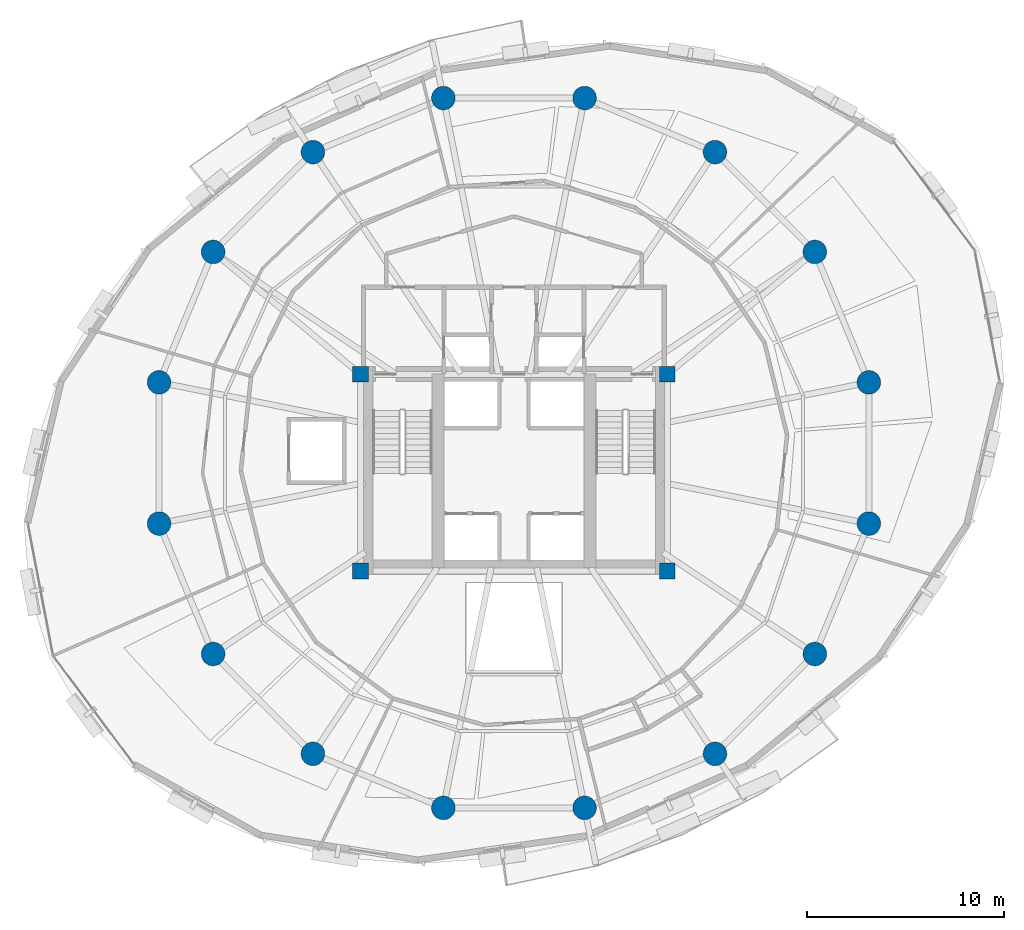
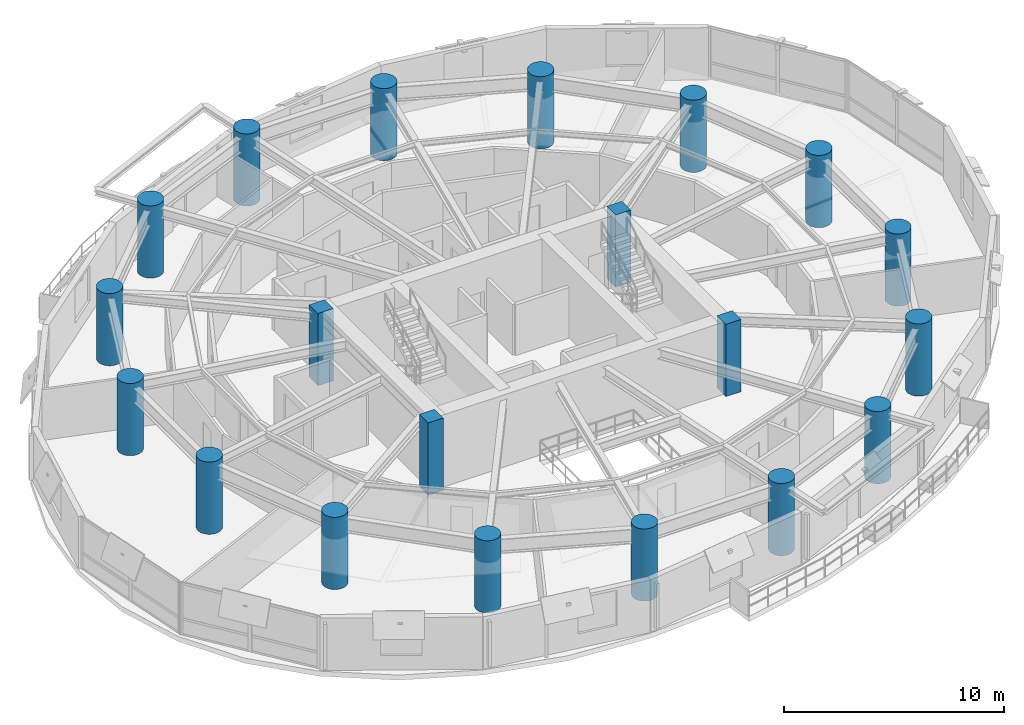
# One storey, part 1 of 14: 20 columns.
"""IFC4 building model written with IfcOpenShell, lengths in metres."""

from ifc_helpers import new_model, si_unit, direction, frame, origin, origin_2d, place, context, subcontext, project, spatial, rectangle, circle, extrude, material, material_profile, profile_set, type_object, element, save


model = new_model("IFC4")

# Units and contexts
model_context = context("Model", 3, precision=1e-05, world=origin(), true_north=direction((0.0, 1.0)))
body_context = subcontext(model_context, "Body", "Model", "MODEL_VIEW")
ifc_project = project(units=[si_unit("LENGTHUNIT", "METRE"), si_unit("AREAUNIT", "SQUARE_METRE"), si_unit("VOLUMEUNIT", "CUBIC_METRE"), si_unit("PLANEANGLEUNIT", "RADIAN"), si_unit("MASSUNIT", "GRAM", prefix="KILO"), si_unit("THERMODYNAMICTEMPERATUREUNIT", "KELVIN"), si_unit("POWERUNIT", "WATT")], contexts=[model_context])

# Site, building, storey
site_placement = place(None, origin())
site = spatial("IfcSite", under=ifc_project, at=site_placement, CompositionType="ELEMENT")
building_placement = place(site_placement, origin())
building = spatial("IfcBuilding", under=site, at=building_placement, Name="Ocrelia Relay Tower", CompositionType="ELEMENT")
storey_placement = place(building_placement, frame((0.0, 0.0, 133.800048828125)))
storey = spatial("IfcBuildingStorey", under=building, at=storey_placement, Name="L31", CompositionType="ELEMENT", Elevation=133.800048828125)

# Columns
ifc_material = material(Name="Concrete C60/75", Category="concrete")
ifc_material_profile_1 = material_profile(ifc_material, circle(Radius=0.60009765625, at=origin_2d()), Name="RC-CIR-1200")
ifc_profile_set_1 = profile_set([ifc_material_profile_1], Name="Concrete C60/75")
column_type_1 = type_object("IfcColumnType", Name="COL-CT-1200", PredefinedType="COLUMN", material=ifc_profile_set_1)
for number, where, z_axis, x_axis, name in (
    (1, (52.04638671875, 29.589599609375, 0.0), (0.0, 0.0, 1.0), (1.0, 0.0, 0.0), "L31 Perimeter Ring Column C01"),
    (2, (49.299072265625, 36.222412109375, 0.0), (0.0, 0.0, 1.0), (1.0, 0.0, 0.0), "L31 Perimeter Ring Column C02"),
    (3, (44.222412109375, 41.299072265625, 0.0), (0.0, 0.0, 1.0), (1.0, 0.0, 0.0), "L31 Perimeter Ring Column C03"),
    (4, (37.589599609375, 44.04638671875, 0.0), (0.0, 0.0, 1.0), (1.0, 0.0, 0.0), "L31 Perimeter Ring Column C04"),
    (5, (30.410400390625, 44.04638671875, 0.0), (0.0, 0.0, 1.0), (1.0, 0.0, 0.0), "L31 Perimeter Ring Column C05"),
    (6, (23.777587890625, 41.299072265625, 0.0), (0.0, 0.0, 1.0), (1.0, 0.0, 0.0), "L31 Perimeter Ring Column C06"),
    (7, (18.700927734375, 36.222412109375, 0.0), (0.0, 0.0, 1.0), (1.0, 0.0, 0.0), "L31 Perimeter Ring Column C07"),
    (8, (15.95361328125, 29.589599609375, 0.0), (0.0, 0.0, 1.0), (1.0, 0.0, 0.0), "L31 Perimeter Ring Column C08"),
    (9, (15.95361328125, 22.410400390625, 0.0), (0.0, 0.0, 1.0), (1.0, 0.0, 0.0), "L31 Perimeter Ring Column C09"),
    (10, (18.700927734375, 15.777587890625, 0.0), (0.0, 0.0, 1.0), (1.0, 0.0, 0.0), "L31 Perimeter Ring Column C10"),
    (11, (23.777587890625, 10.700927734375, 0.0), (0.0, 0.0, 1.0), (1.0, 0.0, 0.0), "L31 Perimeter Ring Column C11"),
    (12, (30.410400390625, 7.95361328125, 0.0), (0.0, 0.0, 1.0), (1.0, 0.0, 0.0), "L31 Perimeter Ring Column C12"),
    (13, (37.589599609375, 7.95361328125, 0.0), (0.0, 0.0, 1.0), (1.0, 0.0, 0.0), "L31 Perimeter Ring Column C13"),
    (14, (44.222412109375, 10.700927734375, 0.0), (0.0, 0.0, 1.0), (1.0, 0.0, 0.0), "L31 Perimeter Ring Column C14"),
    (15, (49.299072265625, 15.777587890625, 0.0), (0.0, 0.0, 1.0), (1.0, 0.0, 0.0), "L31 Perimeter Ring Column C15"),
    (16, (52.04638671875, 22.410400390625, 0.0), (0.0, 0.0, 1.0), (1.0, 0.0, 0.0), "L31 Perimeter Ring Column C16"),
):
    element("IfcColumn", number, at=place(storey_placement, frame(where, z_axis=z_axis, x_axis=x_axis)), inside=storey, type_object=column_type_1, Name=name, PredefinedType="COLUMN", context=body_context, shape_type="SweptSolid", body=[
        extrude(circle(Radius=0.60009765625, at=origin_2d()), origin(), (0.0, 0.0, 1.0), 4.0),
    ])
ifc_material_profile_2 = material_profile(ifc_material, rectangle(XDim=0.800048828125, YDim=0.800048828125, at=origin_2d()), Name="RC-COL-800x800")
ifc_profile_set_2 = profile_set([ifc_material_profile_2], Name="Concrete C60/75")
column_type_2 = type_object("IfcColumnType", Name="COL-PILASTER-800", PredefinedType="PILASTER", material=ifc_profile_set_2)
for number, where, z_axis, x_axis, name in (
    (17, (26.199951171875, 20.0, 0.0), (0.0, 0.0, 1.0), (1.0, 0.0, 0.0), "L31 Core Corner Pilaster SW"),
    (18, (41.800048828125, 20.0, 0.0), (0.0, 0.0, 1.0), (1.0, 0.0, 0.0), "L31 Core Corner Pilaster SE"),
    (19, (26.199951171875, 30.0, 0.0), (0.0, 0.0, 1.0), (1.0, 0.0, 0.0), "L31 Core Corner Pilaster NW"),
    (20, (41.800048828125, 30.0, 0.0), (0.0, 0.0, 1.0), (1.0, 0.0, 0.0), "L31 Core Corner Pilaster NE"),
):
    element("IfcColumn", number, at=place(storey_placement, frame(where, z_axis=z_axis, x_axis=x_axis)), inside=storey, type_object=column_type_2, Name=name, PredefinedType="PILASTER", context=body_context, shape_type="SweptSolid", body=[
        extrude(rectangle(XDim=0.800048828125, YDim=0.800048828125, at=origin_2d()), origin(), (0.0, 0.0, 1.0), 4.0),
    ])

save(model, "model.ifc")
